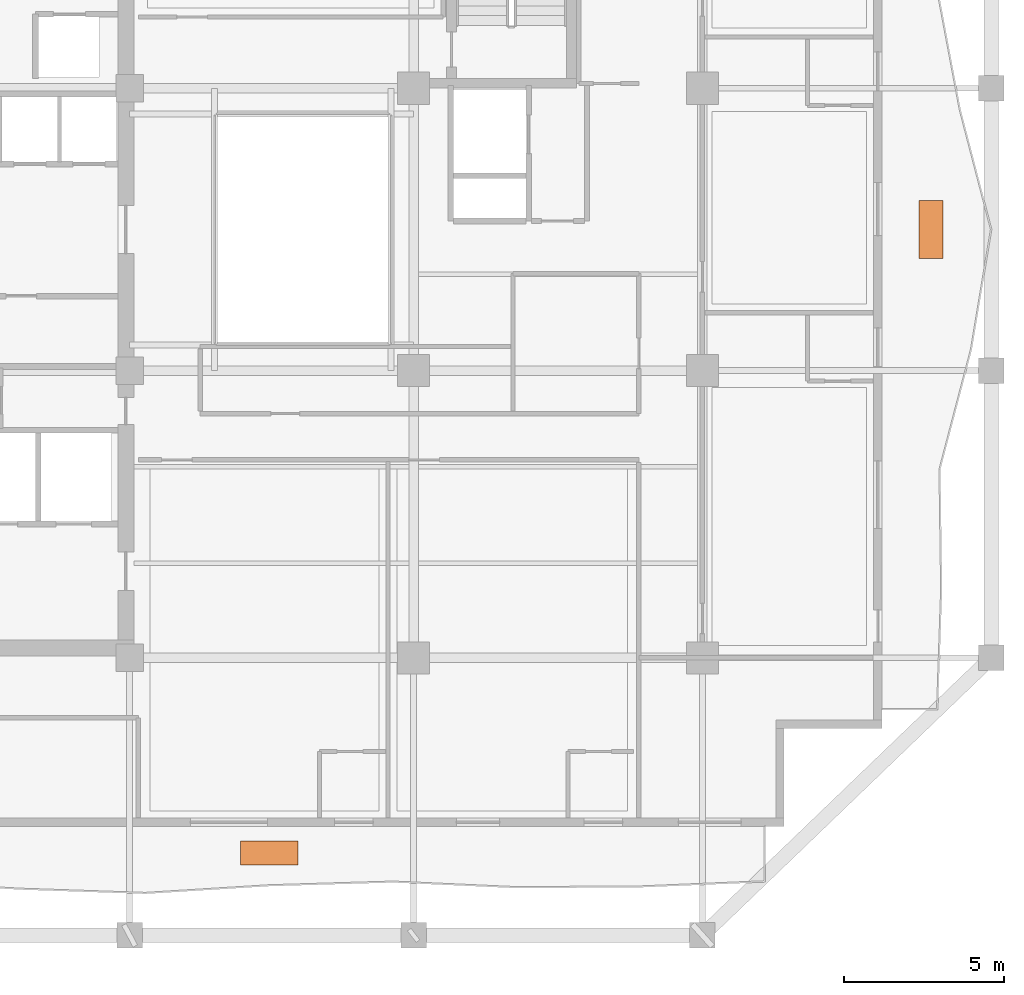
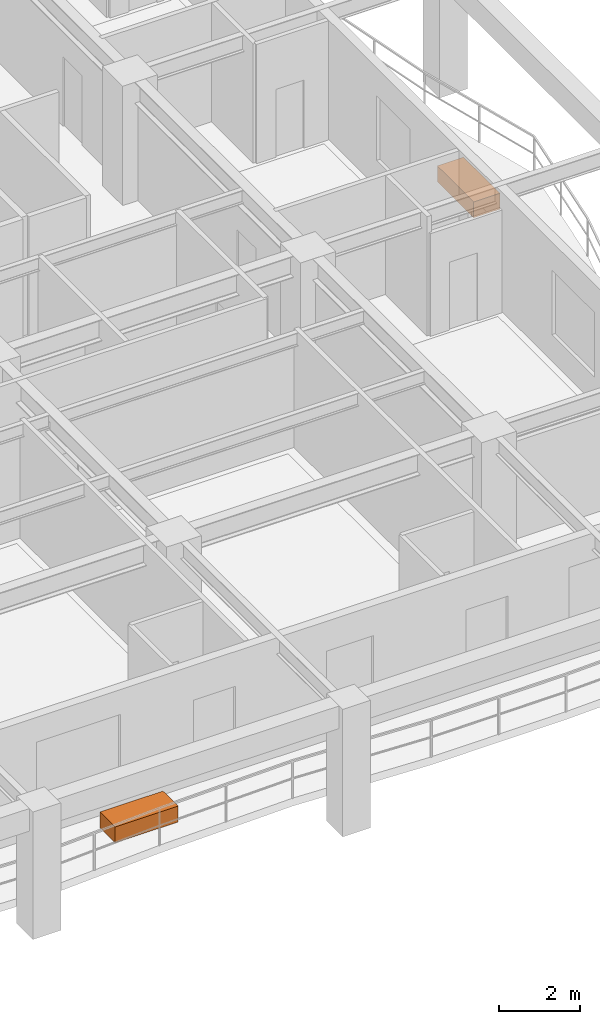
# One storey, part 11 of 11: 2 proxies.
"""IFC4 building model written with IfcOpenShell, lengths in metres."""

from ifc_helpers import new_model, si_unit, direction, frame, origin, origin_2d, place, context, subcontext, project, spatial, rectangle, extrude, material, type_object, element, save


model = new_model("IFC4")

# Units and contexts
model_context = context("Model", 3, precision=1e-05, world=origin(), true_north=direction((0.0, 1.0)))
body_context = subcontext(model_context, "Body", "Model", "MODEL_VIEW")
ifc_project = project(units=[si_unit("LENGTHUNIT", "METRE"), si_unit("AREAUNIT", "SQUARE_METRE"), si_unit("VOLUMEUNIT", "CUBIC_METRE"), si_unit("PLANEANGLEUNIT", "RADIAN"), si_unit("MASSUNIT", "GRAM", prefix="KILO")], contexts=[model_context])

# Site, building, storey
site_placement = place(None, origin())
site = spatial("IfcSite", under=ifc_project, at=site_placement, CompositionType="ELEMENT")
building_placement = place(site_placement, origin())
building = spatial("IfcBuilding", under=site, at=building_placement, Name="Kundavana Baori Tower", CompositionType="ELEMENT")
storey_placement = place(building_placement, frame((0.0, 0.0, 123.25)))
storey = spatial("IfcBuildingStorey", under=building, at=storey_placement, Name="L29", CompositionType="ELEMENT", Elevation=123.25)

# Proxies
ifc_material = material(Name="Red-Buff Dholpur Sandstone Cladding on Concrete C40/50", Category="masonry")
building_element_proxy_type = type_object("IfcBuildingElementProxyType", Name="PRX-PLANTER-1800", PredefinedType="USERDEFINED", material=ifc_material)
for number, where, z_axis, x_axis, name in (
    (1, (29.300048828125, 9.169921875, 0.0), (0.0, 0.0, 1.0), (1.0, 0.0, 0.0), "L29 Dholpur Stone Structural Tree Planter S"),
    (2, (49.929931640625, 28.60009765625, 0.0), (0.0, 0.0, 1.0), (0.0, 1.0, 0.0), "L29 Dholpur Stone Structural Tree Planter E"),
):
    element("IfcBuildingElementProxy", number, at=place(storey_placement, frame(where, z_axis=z_axis, x_axis=x_axis)), inside=storey, type_object=building_element_proxy_type, Name=name, ObjectType="PLANTER", PredefinedType="USERDEFINED", context=body_context, shape_type="SweptSolid", body=[
        extrude(rectangle(XDim=1.800048828125, YDim=0.75, at=origin_2d()), origin(), (0.0, 0.0, 1.0), 0.47998046875),
    ])

save(model, "model.ifc")
